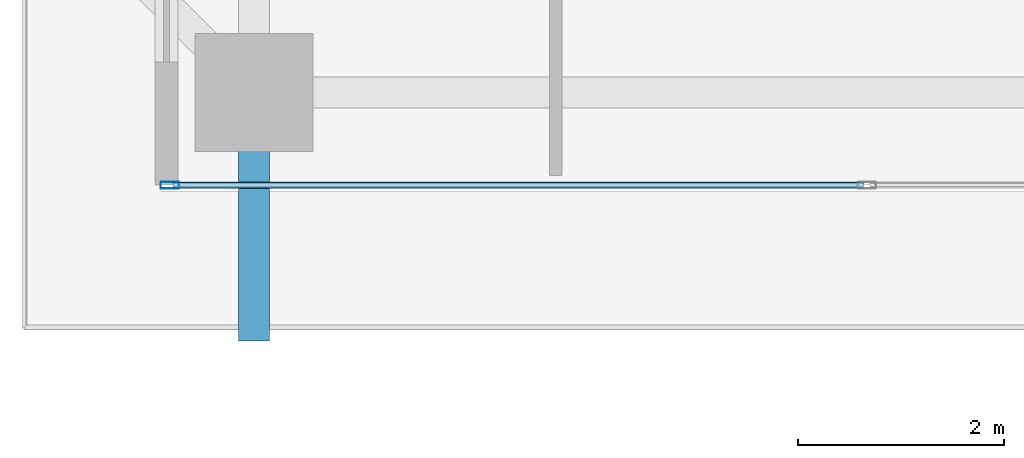
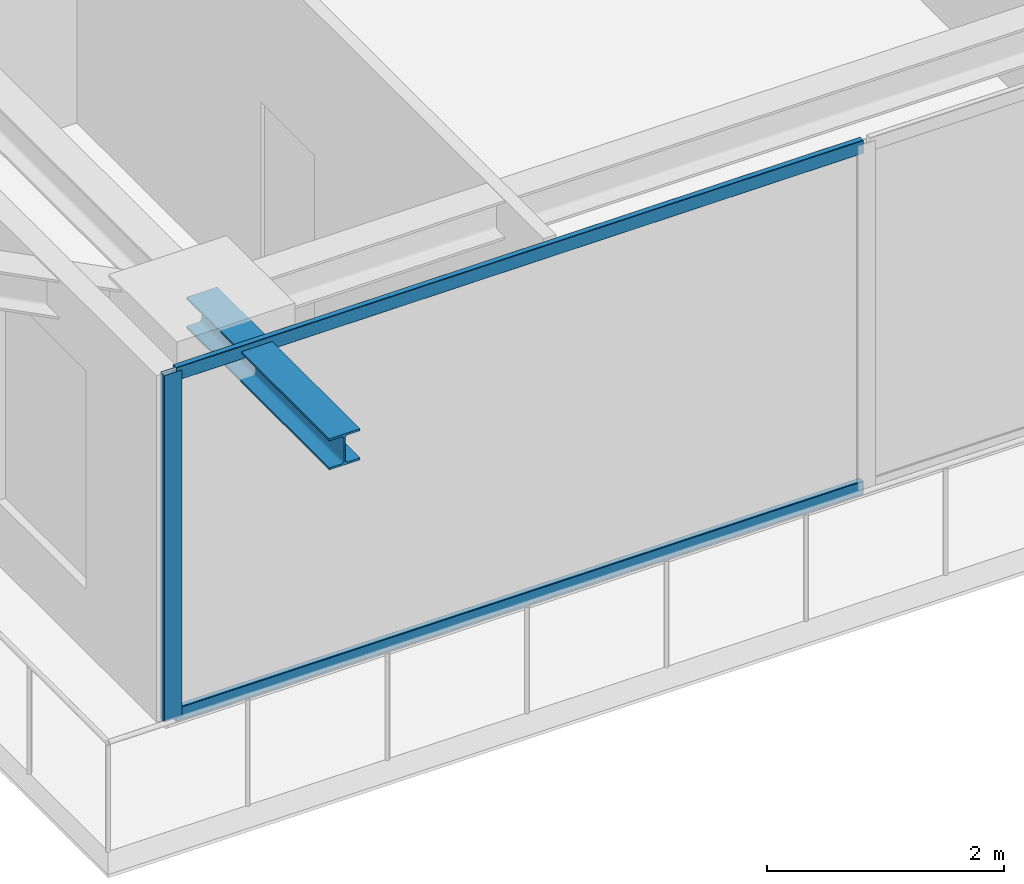
# One storey, part 2 of 40: 3 members, 1 beam, 1 element without a shape of its own.
"""IFC4 building model written with IfcOpenShell, lengths in metres."""

import ifcopenshell
import ifcopenshell.guid

model = None  # the IFC model being written
_history = None  # IfcOwnerHistory: only IFC2X3 demands one
_inside = {}  # id of a spatial element -> (the spatial element, [elements in it])
_under = {}  # id of a project, library or spatial element -> (it, [spatial elements below it])
_declared = {}  # id of a project -> (the project, [libraries it declares])
_typed = {}  # id of a type object -> (the type object, [elements of that type])
_made_of = {}  # id of a material, layer set ... -> (it, [elements and type objects made of it])


def new_model(schema):
    """Start an empty IFC model of exactly this schema.

    Asked for "IFC4X3", IfcOpenShell would pick the latest addendum, in which some entities
    have other attributes; the version numbers below select the first issue.
    IFC2X3 requires an IfcOwnerHistory on every rooted entity: one is made here for all.
    """
    global model, _history
    if schema == "IFC4X3":
        model = ifcopenshell.file(schema_version=(4, 3, 0, 0))
    else:
        model = ifcopenshell.file(schema=schema)
    _inside.clear()
    _under.clear()
    _declared.clear()
    _typed.clear()
    _made_of.clear()
    _history = None
    if model.schema == "IFC2X3":
        org = make("IfcOrganization", Name="unknown")
        user = make(
            "IfcPersonAndOrganization",
            ThePerson=make("IfcPerson", FamilyName="unknown"),
            TheOrganization=org,
        )
        app = make(
            "IfcApplication",
            ApplicationDeveloper=org,
            Version="unknown",
            ApplicationFullName="unknown",
            ApplicationIdentifier="unknown",
        )
        _history = make(
            "IfcOwnerHistory",
            OwningUser=user,
            OwningApplication=app,
            ChangeAction="ADDED",
            CreationDate=0,
        )
    return model


def make(cls, **values):
    """One entity of the class cls with the attributes given. An attribute that is None is left unset."""
    return model.create_entity(
        cls, **{name: value for name, value in values.items() if value is not None}
    )


def rooted(cls, **values):
    """An entity with a GlobalId (a new one), such as an element, a storey or a relation."""
    return make(cls, GlobalId=ifcopenshell.guid.new(), OwnerHistory=_history, **values)


def si_unit(unit_type, name, prefix=None):
    """IfcSIUnit, for example si_unit("LENGTHUNIT", "METRE", prefix="MILLI")."""
    return make("IfcSIUnit", UnitType=unit_type, Prefix=prefix, Name=name)


def assignment(units):
    """IfcUnitAssignment: the units of a project."""
    return None if units is None else make("IfcUnitAssignment", Units=units)


def point(xyz):
    """IfcCartesianPoint."""
    return None if xyz is None else make("IfcCartesianPoint", Coordinates=xyz)


def direction(xyz):
    """IfcDirection."""
    return None if xyz is None else make("IfcDirection", DirectionRatios=xyz)


def frame(location, z_axis=None, x_axis=None):
    """IfcAxis2Placement3D, a coordinate frame: its origin and axes. An axis left out is left unset."""
    return make(
        "IfcAxis2Placement3D",
        Location=point(location),
        Axis=direction(z_axis),
        RefDirection=direction(x_axis),
    )


def frame_2d(location, x_axis=None):
    """IfcAxis2Placement2D, a coordinate frame in the plane: its origin and x axis."""
    return make(
        "IfcAxis2Placement2D", Location=point(location), RefDirection=direction(x_axis)
    )


def origin():
    """The frame at (0, 0, 0) with its axes left unset."""
    return frame((0.0, 0.0, 0.0))


def origin_2d():
    """The frame at (0, 0) in the plane with its x axis left unset."""
    return frame_2d((0.0, 0.0))


def place(relative_to, where):
    """IfcLocalPlacement: puts the frame where relative to a parent placement (None: the world)."""
    return make(
        "IfcLocalPlacement", PlacementRelTo=relative_to, RelativePlacement=where
    )


def context(
    kind, dimensions, precision=None, world=None, true_north=None, identifier=None
):
    """IfcGeometricRepresentationContext, for example the 3D "Model" context."""
    return make(
        "IfcGeometricRepresentationContext",
        ContextIdentifier=identifier,
        ContextType=kind,
        CoordinateSpaceDimension=dimensions,
        Precision=precision,
        WorldCoordinateSystem=world,
        TrueNorth=true_north,
    )


def subcontext(parent, identifier, kind, view, scale=None):
    """IfcGeometricRepresentationSubContext, for example "Body" below "Model"."""
    return make(
        "IfcGeometricRepresentationSubContext",
        ContextIdentifier=identifier,
        ContextType=kind,
        ParentContext=parent,
        TargetScale=scale,
        TargetView=view,
    )


def project(units=None, contexts=None):
    """IfcProject with its units and contexts."""
    return rooted(
        "IfcProject",
        Name="project",
        RepresentationContexts=contexts,
        UnitsInContext=assignment(units),
    )


def spatial(cls, under=None, at=None, **own):
    """A site, building, storey or space (cls), placed at a placement, below another one or the project."""
    s = rooted(cls, ObjectPlacement=at, **own)
    if under is not None:
        _under.setdefault(under.id(), (under, []))[1].append(s)
    return s


def profile(cls, at=None, kind="AREA", **sizes):
    """A parametric profile (cls). Its sizes go by their IFC names, for example OverallWidth=200.0."""
    return make(cls, ProfileType=kind, Position=at, **sizes)


def hollow_rectangle(**sizes):
    """IfcRectangleHollowProfileDef."""
    return profile("IfcRectangleHollowProfileDef", **sizes)


def i_section(**sizes):
    """IfcIShapeProfileDef."""
    return profile("IfcIShapeProfileDef", **sizes)


def extrude(swept, where, along, depth):
    """IfcExtrudedAreaSolid: the profile swept, set in the frame where, extruded along a direction by depth."""
    return make(
        "IfcExtrudedAreaSolid",
        SweptArea=swept,
        Position=where,
        ExtrudedDirection=direction(along),
        Depth=depth,
    )


def shape(context_of_items, identifier, shape_type, items):
    """IfcShapeRepresentation: the items that make up one representation, for example the "Body"."""
    return make(
        "IfcShapeRepresentation",
        ContextOfItems=context_of_items,
        RepresentationIdentifier=identifier,
        RepresentationType=shape_type,
        Items=items,
    )


def source(mapping_origin, context_of_items, identifier, shape_type, items):
    """IfcRepresentationMap: a shape defined once, which mapped items show again and again."""
    return make(
        "IfcRepresentationMap",
        MappingOrigin=mapping_origin,
        MappedRepresentation=shape(context_of_items, identifier, shape_type, items),
    )


def transform(
    local_origin,
    x_axis=None,
    y_axis=None,
    z_axis=None,
    scale=None,
    scale2=None,
    scale3=None,
    uniform=True,
):
    """IfcCartesianTransformationOperator3D, or its non-uniform kind. x_axis, y_axis, z_axis: its Axis1, 2, 3."""
    if uniform:
        return make(
            "IfcCartesianTransformationOperator3D",
            Axis1=direction(x_axis),
            Axis2=direction(y_axis),
            LocalOrigin=point(local_origin),
            Scale=scale,
            Axis3=direction(z_axis),
        )
    return make(
        "IfcCartesianTransformationOperator3DnonUniform",
        Axis1=direction(x_axis),
        Axis2=direction(y_axis),
        LocalOrigin=point(local_origin),
        Scale=scale,
        Axis3=direction(z_axis),
        Scale2=scale2,
        Scale3=scale3,
    )


def mapped(mapping_source, mapping_target):
    """IfcMappedItem: shows the shape of a source again, moved by a transform."""
    return make(
        "IfcMappedItem", MappingSource=mapping_source, MappingTarget=mapping_target
    )


def material(Name=None, Category=None):
    """IfcMaterial."""
    return make("IfcMaterial", Name=Name, Category=Category)


def layer(
    of_material, thickness, ventilated=None, Name=None, Category=None, Priority=None
):
    """IfcMaterialLayer: one layer of a wall or slab, of a material (None: an air gap)."""
    return make(
        "IfcMaterialLayer",
        Material=of_material,
        LayerThickness=thickness,
        IsVentilated=ventilated,
        Name=Name,
        Category=Category,
        Priority=Priority,
    )


def layer_set(layers, Name=None):
    """IfcMaterialLayerSet."""
    return make("IfcMaterialLayerSet", MaterialLayers=layers, LayerSetName=Name)


def material_profile(
    of_material, cross_section, Name=None, Category=None, Priority=None
):
    """IfcMaterialProfile: a cross section and its material."""
    return make(
        "IfcMaterialProfile",
        Name=Name,
        Material=of_material,
        Profile=cross_section,
        Priority=Priority,
        Category=Category,
    )


def profile_set(profiles, Name=None, composite=None):
    """IfcMaterialProfileSet."""
    return make(
        "IfcMaterialProfileSet",
        Name=Name,
        MaterialProfiles=profiles,
        CompositeProfile=composite,
    )


def made_of(thing, what):
    """Note that an element or type object is made of a material, layer set ...; save() writes the relation."""
    if what is not None:
        _made_of.setdefault(what.id(), (what, []))[1].append(thing)
    return thing


def type_object(cls, material=None, **own):
    """A type object (cls), such as IfcWallType, which elements share."""
    return made_of(rooted(cls, **own), material)


def element(
    cls,
    number,
    at=None,
    inside=None,
    cuts=None,
    type_object=None,
    material=None,
    context=None,
    identifier="Body",
    shape_type=None,
    held_by="IfcProductDefinitionShape",
    body=None,
    shapes=None,
    **own,
):
    """One element of the class cls, such as IfcWall. Its Tag is "e" and its number.

    at: its placement. inside: the storey or other place that contains it. cuts: it is an
    opening in that element (IfcRelVoidsElement). A single representation is given by context,
    identifier, shape_type and body (its items); several are given by shapes. held_by: the class
    of the entity that holds the representations. save() writes the other relations.
    """
    e = rooted(cls, Tag="e%d" % number, ObjectPlacement=at, **own)
    if body is not None:
        shapes = [shape(context, identifier, shape_type, body)]
    if shapes is not None:
        e.Representation = make(held_by, Representations=shapes)
    if inside is not None:
        _inside.setdefault(inside.id(), (inside, []))[1].append(e)
    if cuts is not None:
        rooted(
            "IfcRelVoidsElement", RelatingBuildingElement=cuts, RelatedOpeningElement=e
        )
    if type_object is not None:
        _typed.setdefault(type_object.id(), (type_object, []))[1].append(e)
    return made_of(e, material)


def aggregate(whole, parts):
    """IfcRelAggregates: a whole, such as a stair, and the parts it consists of."""
    return rooted("IfcRelAggregates", RelatingObject=whole, RelatedObjects=parts)


def save(model, path):
    """Write the relations noted so far, then the file.

    IfcRelAggregates (storeys below a building ...), IfcRelContainedInSpatialStructure (elements
    in a storey), IfcRelDefinesByType, IfcRelAssociatesMaterial and IfcRelDeclares: one each for
    every whole, place, type object, material and project.
    """
    for whole, parts in _under.values():
        aggregate(whole, parts)
    for where, things in _inside.values():
        rooted(
            "IfcRelContainedInSpatialStructure",
            RelatedElements=things,
            RelatingStructure=where,
        )
    for kind, things in _typed.values():
        rooted("IfcRelDefinesByType", RelatedObjects=things, RelatingType=kind)
    for what, things in _made_of.values():
        rooted("IfcRelAssociatesMaterial", RelatedObjects=things, RelatingMaterial=what)
    for by, libraries in _declared.values():
        rooted("IfcRelDeclares", RelatingContext=by, RelatedDefinitions=libraries)
    model.write(path)


model = new_model("IFC4")

# Units and contexts
model_context = context("Model", 3, precision=1e-05, world=origin(), true_north=direction((0.0, 1.0)))
body_context = subcontext(model_context, "Body", "Model", "MODEL_VIEW")
ifc_project = project(units=[si_unit("LENGTHUNIT", "METRE"), si_unit("AREAUNIT", "SQUARE_METRE"), si_unit("VOLUMEUNIT", "CUBIC_METRE"), si_unit("PLANEANGLEUNIT", "RADIAN"), si_unit("MASSUNIT", "GRAM", prefix="KILO")], contexts=[model_context])

# Site, building, storey
site_placement = place(None, origin())
site = spatial("IfcSite", under=ifc_project, at=site_placement, CompositionType="ELEMENT")
building_placement = place(site_placement, origin())
building = spatial("IfcBuilding", under=site, at=building_placement, Name="Serunith Strait Residences", CompositionType="ELEMENT")
storey_placement = place(building_placement, frame((0.0, 0.0, 252.800048828125)))
storey = spatial("IfcBuildingStorey", under=building, at=storey_placement, Name="L63", CompositionType="ELEMENT", Elevation=252.800048828125)

# Beam
ifc_material_1 = material(Name="Steel S355J2", Category="steel")
ifc_material_profile_1 = material_profile(ifc_material_1, i_section(OverallWidth=0.300048828125, OverallDepth=0.320068359375, WebThickness=0.011474609375, FlangeThickness=0.0205078125, FilletRadius=0.027099609375, at=origin_2d()), Name="HEB 320")
ifc_profile_set_1 = profile_set([ifc_material_profile_1], Name="Steel S355J2")
beam_type = type_object("IfcBeamType", Name="BM-HEB320", PredefinedType="BEAM", material=ifc_profile_set_1)
shared_shape_1 = source(origin(), body_context, "Body", "SweptSolid", [
    extrude(i_section(OverallWidth=0.300048828125, OverallDepth=0.320068359375, WebThickness=0.011474609375, FlangeThickness=0.0205078125, FilletRadius=0.027099609375, at=origin_2d()), origin(), (0.0, 0.0, 1.0), 2.4140625),
])
beam_placement = place(storey_placement, frame((16.25, 2.10009765625, 3.39697265625), z_axis=(0.0, -1.0, 0.0), x_axis=(1.0, 0.0, 0.0)))
element("IfcBeam", 1, at=beam_placement, inside=storey, type_object=beam_type, Name="L64 Cantilevered Balcony Rib TC-S1", PredefinedType="BEAM", context=body_context, shape_type="MappedRepresentation", body=[
    mapped(shared_shape_1, transform((0.0, 0.0, 0.0), scale=1.0)),
])

# Curtain wall, members
ifc_material_2 = material(Name="Pale-Champagne Anodised Aluminium", Category="aluminium")
ifc_layer = layer(ifc_material_2, 0.199951171875, Name="Pale-Champagne Anodised Aluminium")
ifc_layer_set = layer_set([ifc_layer], Name="Pale-Champagne Anodised Aluminium")
curtain_wall_type = type_object("IfcCurtainWallType", Name="CW-SYS4", PredefinedType="NOTDEFINED", material=ifc_layer_set)
curtain_wall_placement = place(storey_placement, origin())
curtain_wall = element("IfcCurtainWall", 2, at=curtain_wall_placement, inside=storey, type_object=curtain_wall_type, Name="L63 S Unitised Fritted Curtain Wall", PredefinedType="NOTDEFINED")
ifc_material_profile_2 = material_profile(ifc_material_2, hollow_rectangle(XDim=0.06494140625, YDim=0.179931640625, WallThickness=0.00341796875, InnerFilletRadius=0.00537109375, OuterFilletRadius=0.0087890625, at=origin_2d()), Name="ALU 180x65x3.5")
ifc_profile_set_2 = profile_set([ifc_material_profile_2], Name="Pale-Champagne Anodised Aluminium")
member_type_1 = type_object("IfcMemberType", Name="CW-SYS4-MULL", PredefinedType="MULLION", material=ifc_profile_set_2)
shared_shape_2 = source(origin(), body_context, "Body", "SweptSolid", [
    extrude(hollow_rectangle(XDim=0.06494140625, YDim=0.179931640625, WallThickness=0.00341796875, InnerFilletRadius=0.00537109375, OuterFilletRadius=0.0087890625, at=origin_2d()), origin(), (0.0, 0.0, 1.0), 3.574951171875),
])
member_1_placement = place(storey_placement, frame((15.4326171875, 1.199951171875, 0.0), z_axis=(0.0, 0.0, 1.0), x_axis=(0.0, 1.0, 0.0)))
member_1 = element("IfcMember", 3, at=member_1_placement, type_object=member_type_1, Name="CW-4 mullion 1", PredefinedType="MULLION", context=body_context, shape_type="MappedRepresentation", body=[
    mapped(shared_shape_2, transform((0.0, 0.0, 0.0), scale=1.0)),
])
ifc_material_profile_3 = material_profile(ifc_material_2, hollow_rectangle(XDim=0.06005859375, YDim=0.139892578125, WallThickness=0.00341796875, InnerFilletRadius=0.00537109375, OuterFilletRadius=0.0087890625, at=origin_2d()), Name="ALU 140x60x3.5")
ifc_profile_set_3 = profile_set([ifc_material_profile_3], Name="Pale-Champagne Anodised Aluminium")
member_type_2 = type_object("IfcMemberType", Name="CW-SYS4-TRAN", PredefinedType="USERDEFINED", material=ifc_profile_set_3)
shared_shape_3 = source(origin(), body_context, "Body", "SweptSolid", [
    extrude(hollow_rectangle(XDim=0.06005859375, YDim=0.139892578125, WallThickness=0.00341796875, InnerFilletRadius=0.00537109375, OuterFilletRadius=0.0087890625, at=origin_2d()), origin(), (0.0, 0.0, 1.0), 6.702392578125),
])
member_2_placement = place(storey_placement, frame((15.465087890625, 1.199951171875, 0.030029296875), z_axis=(1.0, 0.0, 0.0), x_axis=(0.0, 1.0, 0.0)))
member_2 = element("IfcMember", 4, at=member_2_placement, type_object=member_type_2, Name="CW-4 transom 1.1", ObjectType="TRANSOM", PredefinedType="USERDEFINED", context=body_context, shape_type="MappedRepresentation", body=[
    mapped(shared_shape_3, transform((0.0, 0.0, 0.0), scale=1.0)),
])
member_3_placement = place(storey_placement, frame((15.465087890625, 1.199951171875, 3.544921875), z_axis=(1.0, 0.0, 0.0), x_axis=(0.0, 1.0, 0.0)))
member_3 = element("IfcMember", 5, at=member_3_placement, type_object=member_type_2, Name="CW-4 transom 1.2", ObjectType="TRANSOM", PredefinedType="USERDEFINED", context=body_context, shape_type="MappedRepresentation", body=[
    mapped(shared_shape_3, transform((0.0, 0.0, 0.0), scale=1.0)),
])
aggregate(curtain_wall, [member_1, member_2, member_3])

save(model, "model.ifc")
